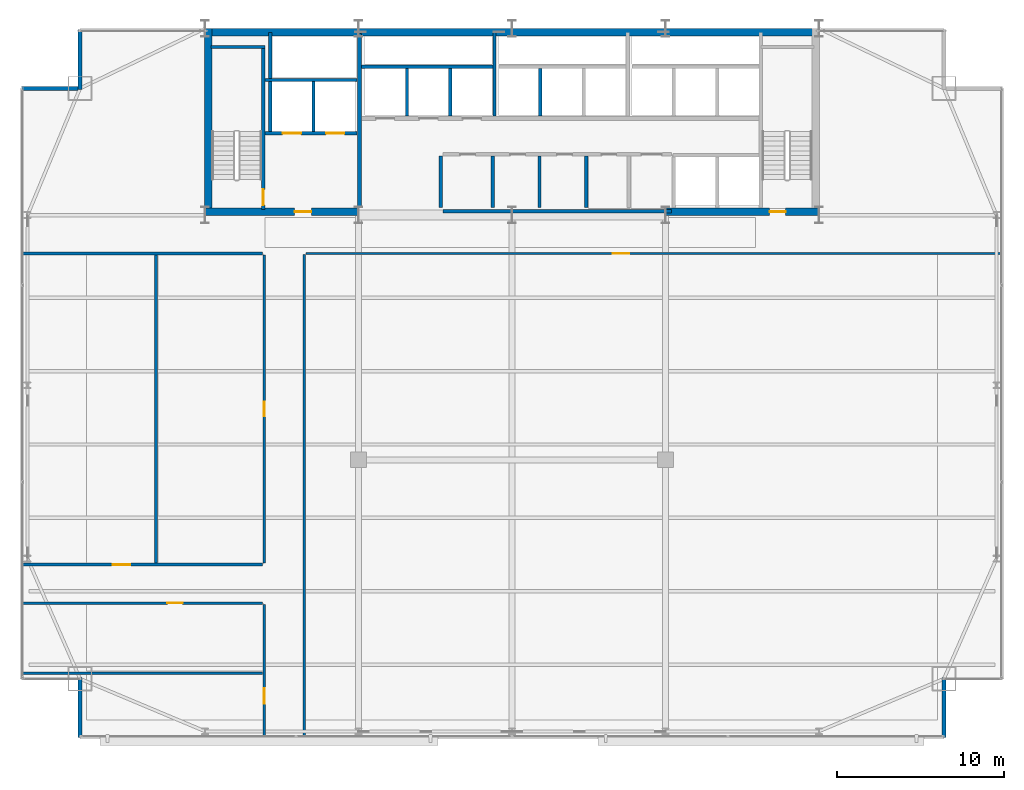
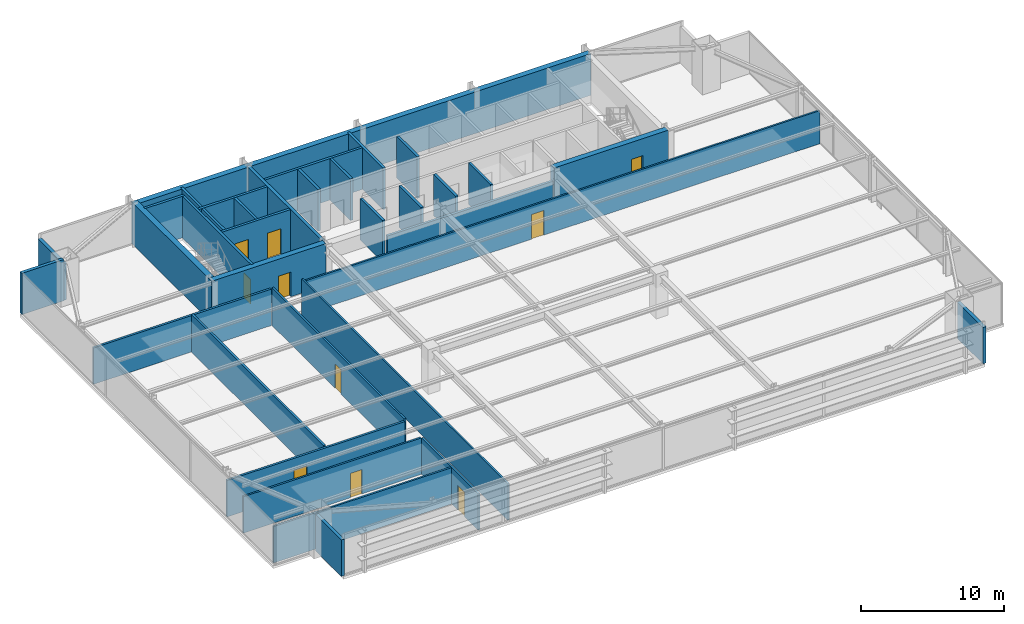
# One storey, part 29 of 32: 34 walls, 10 doors, 10 openings.
"""IFC4 building model written with IfcOpenShell, lengths in metres."""

from ifc_helpers import new_model, si_unit, direction, frame, frame_2d, origin, place, context, subcontext, project, spatial, rectangle, extrude, source, transform, mapped, material, layer, layer_set, type_object, type_shapes, element, fill, save


model = new_model("IFC4")

# Units and contexts
model_context = context("Model", 3, precision=1e-05, world=origin(), true_north=direction((0.0, 1.0)))
body_context = subcontext(model_context, "Body", "Model", "MODEL_VIEW")
ifc_project = project(units=[si_unit("LENGTHUNIT", "METRE"), si_unit("AREAUNIT", "SQUARE_METRE"), si_unit("VOLUMEUNIT", "CUBIC_METRE"), si_unit("PLANEANGLEUNIT", "RADIAN"), si_unit("MASSUNIT", "GRAM", prefix="KILO")], contexts=[model_context])

# Site, building, storey
site_placement = place(None, origin())
site = spatial("IfcSite", under=ifc_project, at=site_placement, CompositionType="ELEMENT")
building_placement = place(site_placement, origin())
building = spatial("IfcBuilding", under=site, at=building_placement, Name="Varnel Quay Broadcast Tower", CompositionType="ELEMENT")
storey_placement = place(building_placement, frame((0.0, 0.0, 90.800048828125)))
storey = spatial("IfcBuildingStorey", under=building, at=storey_placement, Name="L21", CompositionType="ELEMENT", Elevation=90.800048828125)

# Wall, opening, door
ifc_material_1 = material(Name="Concrete CSA A23.3 C50/60", Category="concrete")
ifc_layer_1 = layer(ifc_material_1, 0.199951171875, Name="Concrete CSA A23.3 C50/60")
ifc_layer_set_1 = layer_set([ifc_layer_1], Name="Concrete CSA A23.3 C50/60")
wall_type_1 = type_object("IfcWallType", Name="Wall_CoreShaftShear200", PredefinedType="SHEAR", material=ifc_layer_set_1)
wall_1_placement = place(storey_placement, frame((19.080078125, 35.949951171875, 0.0), z_axis=(0.0, 0.0, 1.0), x_axis=(0.0, 1.0, 0.0)))
wall_1 = element("IfcWall", 1, at=wall_1_placement, inside=storey, type_object=wall_type_1, Name="L21 Stair 1 East Structural Wall", PredefinedType="SHEAR", context=body_context, shape_type="SweptSolid", body=[
    extrude(rectangle(XDim=9.650146484375, YDim=0.199951171875, at=frame_2d((4.8251953125, 0.0))), origin(), (0.0, 0.0, 1.0), 3.550048828125),
])
opening_1_placement = place(wall_1_placement, frame((0.25, 0.0, 0.0)))
opening_1 = element("IfcOpeningElement", 2, at=opening_1_placement, cuts=wall_1, Name="Opening D-L21-S1", PredefinedType="OPENING", context=body_context, shape_type="SweptSolid", body=[
    extrude(rectangle(XDim=0.949951171875, YDim=2.10009765625, at=frame_2d((0.47509765625, 1.050048828125))), frame((0.0, 0.10986328125, 0.0), z_axis=(0.0, -1.0, 0.0), x_axis=(1.0, 0.0, 0.0)), (0.0, 0.0, 1.0), 0.219970703125),
])
ifc_material_2 = material(Name="Insulated Fire-Rated Hollow Steel Door", Category="steel")
door_type_1 = type_object("IfcDoorType", Name="Door_FireStair950", OperationType="NOTDEFINED", PredefinedType="DOOR", material=ifc_material_2)
shared_shape_1 = source(origin(), body_context, "Body", "SweptSolid", [
    extrude(rectangle(XDim=0.949951171875, YDim=2.10009765625, at=frame_2d((0.47509765625, 1.050048828125))), frame((0.0, 0.02490234375, 0.0), z_axis=(0.0, -1.0, 0.0), x_axis=(1.0, 0.0, 0.0)), (0.0, 0.0, 1.0), 0.050048828125),
])
type_shapes(door_type_1, [shared_shape_1])
door_1_placement = place(opening_1_placement, origin())
door_1 = element("IfcDoor", 3, at=door_1_placement, inside=storey, type_object=door_type_1, Name="L21 Stair 1 Fire Door", OperationType="SINGLE_SWING_LEFT", OverallHeight=2.10009765625, OverallWidth=0.949951171875, PredefinedType="DOOR", context=body_context, shape_type="MappedRepresentation", body=[
    mapped(shared_shape_1, transform((0.0, 0.0, 0.0), x_axis=(1.0, 0.0, 0.0), y_axis=(0.0, 1.0, 0.0), z_axis=(0.0, 0.0, 1.0), scale=1.0)),
])
fill(opening_1, door_1)

# Wall
wall_2_placement = place(storey_placement, frame((15.949951171875, 45.679931640625, 0.0), z_axis=(0.0, 0.0, 1.0), x_axis=(1.0, 0.0, 0.0)))
element("IfcWall", 4, at=wall_2_placement, inside=storey, type_object=wall_type_1, Name="L21 Stair 1 North Structural Wall", PredefinedType="SHEAR", context=body_context, shape_type="SweptSolid", body=[
    extrude(rectangle(XDim=3.22998046875, YDim=0.199951171875, at=frame_2d((1.614990234375, 0.0))), origin(), (0.0, 0.0, 1.0), 3.550048828125),
])

# Wall, openings, doors
wall_3_placement = place(storey_placement, frame((19.199951171875, 40.5, 0.0), z_axis=(0.0, 0.0, 1.0), x_axis=(1.0, 0.0, 0.0)))
wall_3 = element("IfcWall", 5, at=wall_3_placement, inside=storey, type_object=wall_type_1, Name="L21 Firefighter Lift Shaft Front Wall", PredefinedType="SHEAR", context=body_context, shape_type="SweptSolid", body=[
    extrude(rectangle(XDim=5.52001953125, YDim=0.199951171875, at=frame_2d((2.760009765625, 0.0))), origin(), (0.0, 0.0, 1.0), 3.550048828125),
])
opening_2_placement = place(wall_3_placement, frame((1.050048828125, 0.0, 0.0)))
opening_2 = element("IfcOpeningElement", 6, at=opening_2_placement, cuts=wall_3, Name="Opening LD-L21-FE1", PredefinedType="OPENING", context=body_context, shape_type="SweptSolid", body=[
    extrude(rectangle(XDim=1.10009765625, YDim=2.179931640625, at=frame_2d((0.550048828125, 1.08984375))), frame((0.0, 0.10986328125, 0.0), z_axis=(0.0, -1.0, 0.0), x_axis=(1.0, 0.0, 0.0)), (0.0, 0.0, 1.0), 0.219970703125),
])
opening_3_placement = place(wall_3_placement, frame((3.64990234375, 0.0, 0.0)))
opening_3 = element("IfcOpeningElement", 7, at=opening_3_placement, cuts=wall_3, Name="Opening LD-L21-FE2", PredefinedType="OPENING", context=body_context, shape_type="SweptSolid", body=[
    extrude(rectangle(XDim=1.10009765625, YDim=2.179931640625, at=frame_2d((0.550048828125, 1.08984375))), frame((0.0, 0.10986328125, 0.0), z_axis=(0.0, -1.0, 0.0), x_axis=(1.0, 0.0, 0.0)), (0.0, 0.0, 1.0), 0.219970703125),
])
ifc_material_3 = material(Name="Brushed Bronze-Stainless Lift Car & Sliding Doors", Category="steel")
door_type_2 = type_object("IfcDoorType", Name="Door_LiftLanding1100", OperationType="SLIDING_TO_LEFT", PredefinedType="DOOR", material=ifc_material_3)
shared_shape_2 = source(origin(), body_context, "Body", "SweptSolid", [
    extrude(rectangle(XDim=1.10009765625, YDim=2.179931640625, at=frame_2d((0.550048828125, 1.08984375))), frame((0.0, 0.02490234375, 0.0), z_axis=(0.0, -1.0, 0.0), x_axis=(1.0, 0.0, 0.0)), (0.0, 0.0, 1.0), 0.050048828125),
])
type_shapes(door_type_2, [shared_shape_2])
door_2_placement = place(opening_2_placement, frame((1.10009765625, 0.0, 0.0), z_axis=(0.0, 0.0, 1.0), x_axis=(-1.0, 0.0, 0.0)))
door_2 = element("IfcDoor", 8, at=door_2_placement, inside=storey, type_object=door_type_2, Name="L21 Firefighter Lift FE-01 Landing Door", OperationType="SLIDING_TO_LEFT", OverallHeight=2.179931640625, OverallWidth=1.10009765625, PredefinedType="DOOR", context=body_context, shape_type="MappedRepresentation", body=[
    mapped(shared_shape_2, transform((0.0, 0.0, 0.0), x_axis=(1.0, 0.0, 0.0), y_axis=(0.0, 1.0, 0.0), z_axis=(0.0, 0.0, 1.0), scale=1.0)),
])
fill(opening_2, door_2)
door_3_placement = place(opening_3_placement, frame((1.10009765625, 0.0, 0.0), z_axis=(0.0, 0.0, 1.0), x_axis=(-1.0, 0.0, 0.0)))
door_3 = element("IfcDoor", 9, at=door_3_placement, inside=storey, type_object=door_type_2, Name="L21 Firefighter Lift FE-02 Landing Door", OperationType="SLIDING_TO_RIGHT", OverallHeight=2.179931640625, OverallWidth=1.10009765625, PredefinedType="DOOR", context=body_context, shape_type="MappedRepresentation", body=[
    mapped(shared_shape_2, transform((0.0, 0.0, 0.0), x_axis=(1.0, 0.0, 0.0), y_axis=(0.0, 1.0, 0.0), z_axis=(0.0, 0.0, 1.0), scale=1.0)),
])
fill(opening_3, door_3)

# Walls
wall_4_placement = place(storey_placement, frame((19.199951171875, 43.699951171875, 0.0), z_axis=(0.0, 0.0, 1.0), x_axis=(1.0, 0.0, 0.0)))
element("IfcWall", 10, at=wall_4_placement, inside=storey, type_object=wall_type_1, Name="L21 Firefighter Lift Shaft Rear Wall", PredefinedType="SHEAR", context=body_context, shape_type="SweptSolid", body=[
    extrude(rectangle(XDim=5.52001953125, YDim=0.199951171875, at=frame_2d((2.760009765625, 0.0))), origin(), (0.0, 0.0, 1.0), 3.550048828125),
])
wall_5_placement = place(storey_placement, frame((22.10009765625, 40.60009765625, 0.0), z_axis=(0.0, 0.0, 1.0), x_axis=(0.0, 1.0, 0.0)))
element("IfcWall", 11, at=wall_5_placement, inside=storey, type_object=wall_type_1, Name="L21 Firefighter Lift Shaft Divider", PredefinedType="SHEAR", context=body_context, shape_type="SweptSolid", body=[
    extrude(rectangle(XDim=3.0, YDim=0.199951171875, at=frame_2d((1.5, 0.0))), origin(), (0.0, 0.0, 1.0), 3.550048828125),
])
wall_6_placement = place(storey_placement, frame((19.5, 40.60009765625, 0.0), z_axis=(0.0, 0.0, 1.0), x_axis=(0.0, 1.0, 0.0)))
element("IfcWall", 12, at=wall_6_placement, inside=storey, type_object=wall_type_1, Name="L21 Firefighter Lift Shaft West Wall", PredefinedType="SHEAR", context=body_context, shape_type="SweptSolid", body=[
    extrude(rectangle(XDim=5.949951171875, YDim=0.199951171875, at=frame_2d((2.97509765625, 0.0))), origin(), (0.0, 0.0, 1.0), 3.550048828125),
])
wall_7_placement = place(storey_placement, frame((24.97998046875, 44.5, 0.0), z_axis=(0.0, 0.0, 1.0), x_axis=(1.0, 0.0, 0.0)))
element("IfcWall", 13, at=wall_7_placement, inside=storey, type_object=wall_type_1, Name="L21 Low-Rise Lift Shaft Rear Wall", PredefinedType="SHEAR", context=body_context, shape_type="SweptSolid", body=[
    extrude(rectangle(XDim=7.8701171875, YDim=0.199951171875, at=frame_2d((3.93505859375, 0.0))), origin(), (0.0, 0.0, 1.0), 3.550048828125),
])
for number, where, z_axis, x_axis, name in (
    (14, (27.699951171875, 41.530029296875, 0.0), (0.0, 0.0, 1.0), (0.0, 1.0, 0.0), "L21 Low-Rise Lift Shaft Divider 1"),
    (15, (30.300048828125, 41.530029296875, 0.0), (0.0, 0.0, 1.0), (0.0, 1.0, 0.0), "L21 Low-Rise Lift Shaft Divider 2"),
):
    element("IfcWall", number, at=place(storey_placement, frame(where, z_axis=z_axis, x_axis=x_axis)), inside=storey, type_object=wall_type_1, Name=name, PredefinedType="SHEAR", context=body_context, shape_type="SweptSolid", body=[
        extrude(rectangle(XDim=2.869873046875, YDim=0.199951171875, at=frame_2d((1.43505859375, 0.0))), origin(), (0.0, 0.0, 1.0), 3.550048828125),
    ])
wall_8_placement = place(storey_placement, frame((32.949951171875, 41.530029296875, 0.0), z_axis=(0.0, 0.0, 1.0), x_axis=(0.0, 1.0, 0.0)))
element("IfcWall", 16, at=wall_8_placement, inside=storey, type_object=wall_type_1, Name="L21 Low-Rise Lift Shaft Divider 3", PredefinedType="SHEAR", context=body_context, shape_type="SweptSolid", body=[
    extrude(rectangle(XDim=5.02001953125, YDim=0.199951171875, at=frame_2d((2.510009765625, 0.0))), origin(), (0.0, 0.0, 1.0), 3.550048828125),
])
wall_9_placement = place(storey_placement, frame((35.699951171875, 41.530029296875, 0.0), z_axis=(0.0, 0.0, 1.0), x_axis=(0.0, 1.0, 0.0)))
element("IfcWall", 17, at=wall_9_placement, inside=storey, type_object=wall_type_1, Name="L21 Mid-Rise Lift Shaft Divider 2", PredefinedType="SHEAR", context=body_context, shape_type="SweptSolid", body=[
    extrude(rectangle(XDim=2.869873046875, YDim=0.199951171875, at=frame_2d((1.43505859375, 0.0))), origin(), (0.0, 0.0, 1.0), 3.550048828125),
])
ifc_layer_2 = layer(ifc_material_1, 0.25, Name="Concrete CSA A23.3 C50/60")
ifc_layer_set_2 = layer_set([ifc_layer_2], Name="Concrete CSA A23.3 C50/60")
wall_type_2 = type_object("IfcWallType", Name="Wall_CoreShaftShear250", PredefinedType="SHEAR", material=ifc_layer_set_2)
wall_10_placement = place(storey_placement, frame((24.85009765625, 36.050048828125, 0.0), z_axis=(0.0, 0.0, 1.0), x_axis=(0.0, 1.0, 0.0)))
element("IfcWall", 18, at=wall_10_placement, inside=storey, type_object=wall_type_2, Name="L21 Firefighting Lobby East Structural Wall", PredefinedType="SHEAR", context=body_context, shape_type="SweptSolid", body=[
    extrude(rectangle(XDim=10.449951171875, YDim=0.25, at=frame_2d((5.22509765625, 0.0))), origin(), (0.0, 0.0, 1.0), 3.550048828125),
])
ifc_material_4 = material(Name="Concrete CSA A23.3 C60/75", Category="concrete")
ifc_layer_3 = layer(ifc_material_4, 0.449951171875, Name="Concrete CSA A23.3 C60/75")
ifc_layer_set_3 = layer_set([ifc_layer_3], Name="Concrete CSA A23.3 C60/75")
wall_type_3 = type_object("IfcWallType", Name="Wall_CoreShearExt450", PredefinedType="SHEAR", material=ifc_layer_set_3)
wall_11_placement = place(storey_placement, frame((15.60009765625, 46.574951171875, 0.0), z_axis=(0.0, 0.0, 1.0), x_axis=(1.0, 0.0, 0.0)))
element("IfcWall", 19, at=wall_11_placement, inside=storey, type_object=wall_type_3, Name="L21 North Core Shear Wall", PredefinedType="SHEAR", context=body_context, shape_type="SweptSolid", body=[
    extrude(rectangle(XDim=36.7998046875, YDim=0.449951171875, at=frame_2d((18.39990234375, 0.0))), origin(), (0.0, 0.0, 1.0), 3.550048828125),
])
ifc_layer_4 = layer(ifc_material_4, 0.449951171875, Name="Concrete CSA A23.3 C60/75")
ifc_layer_set_4 = layer_set([ifc_layer_4], Name="Concrete CSA A23.3 C60/75")
wall_type_4 = type_object("IfcWallType", Name="Wall_CoreShearInt450", PredefinedType="SHEAR", material=ifc_layer_set_4)
wall_12_placement = place(storey_placement, frame((15.794921875, 35.570068359375, 0.0), z_axis=(0.0, 0.0, 1.0), x_axis=(0.0, 1.0, 0.0)))
element("IfcWall", 20, at=wall_12_placement, inside=storey, type_object=wall_type_4, Name="L21 West Core Shear Wall", PredefinedType="SHEAR", context=body_context, shape_type="SweptSolid", body=[
    extrude(rectangle(XDim=11.22998046875, YDim=0.449951171875, at=frame_2d((5.614990234375, 0.0))), origin(), (0.0, 0.0, 1.0), 3.550048828125),
])

# Wall, opening, door
wall_13_placement = place(storey_placement, frame((15.570068359375, 35.794921875, 0.0), z_axis=(0.0, 0.0, 1.0), x_axis=(1.0, 0.0, 0.0)))
wall_13 = element("IfcWall", 21, at=wall_13_placement, inside=storey, type_object=wall_type_4, Name="L21 South-West Core Shear Wall", PredefinedType="SHEAR", context=body_context, shape_type="SweptSolid", body=[
    extrude(rectangle(XDim=9.22998046875, YDim=0.449951171875, at=frame_2d((4.614990234375, 0.0))), origin(), (0.0, 0.0, 1.0), 3.550048828125),
])
opening_4_placement = place(wall_13_placement, frame((5.39990234375, 0.0, 0.0)))
opening_4 = element("IfcOpeningElement", 22, at=opening_4_placement, cuts=wall_13, Name="Opening D-L21-FFL", PredefinedType="OPENING", context=body_context, shape_type="SweptSolid", body=[
    extrude(rectangle(XDim=1.0, YDim=2.10009765625, at=frame_2d((0.5, 1.050048828125))), frame((0.0, 0.23486328125, 0.0), z_axis=(0.0, -1.0, 0.0), x_axis=(1.0, 0.0, 0.0)), (0.0, 0.0, 1.0), 0.469970703125),
])
door_type_3 = type_object("IfcDoorType", Name="Door_FireLobby1000", OperationType="NOTDEFINED", PredefinedType="DOOR", material=ifc_material_2)
shared_shape_3 = source(origin(), body_context, "Body", "SweptSolid", [
    extrude(rectangle(XDim=1.0, YDim=2.10009765625, at=frame_2d((0.5, 1.050048828125))), frame((0.0, 0.02490234375, 0.0), z_axis=(0.0, -1.0, 0.0), x_axis=(1.0, 0.0, 0.0)), (0.0, 0.0, 1.0), 0.050048828125),
])
type_shapes(door_type_3, [shared_shape_3])
door_4_placement = place(opening_4_placement, origin())
door_4 = element("IfcDoor", 23, at=door_4_placement, inside=storey, type_object=door_type_3, Name="L21 Firefighting Lobby Door", OperationType="SINGLE_SWING_RIGHT", OverallHeight=2.10009765625, OverallWidth=1.0, PredefinedType="DOOR", context=body_context, shape_type="MappedRepresentation", body=[
    mapped(shared_shape_3, transform((0.0, 0.0, 0.0), x_axis=(1.0, 0.0, 0.0), y_axis=(0.0, 1.0, 0.0), z_axis=(0.0, 0.0, 1.0), scale=1.0)),
])
fill(opening_4, door_4)

wall_14_placement = place(storey_placement, frame((43.199951171875, 35.794921875, 0.0), z_axis=(0.0, 0.0, 1.0), x_axis=(1.0, 0.0, 0.0)))
wall_14 = element("IfcWall", 24, at=wall_14_placement, inside=storey, type_object=wall_type_4, Name="L21 South-East Core Shear Wall", PredefinedType="SHEAR", context=body_context, shape_type="SweptSolid", body=[
    extrude(rectangle(XDim=9.22998046875, YDim=0.449951171875, at=frame_2d((4.614990234375, 0.0))), origin(), (0.0, 0.0, 1.0), 3.550048828125),
])
opening_5_placement = place(wall_14_placement, frame((6.25, 0.0, 0.0)))
opening_5 = element("IfcOpeningElement", 25, at=opening_5_placement, cuts=wall_14, Name="Opening D-L21-S2", PredefinedType="OPENING", context=body_context, shape_type="SweptSolid", body=[
    extrude(rectangle(XDim=0.949951171875, YDim=2.10009765625, at=frame_2d((0.47509765625, 1.050048828125))), frame((0.0, 0.23486328125, 0.0), z_axis=(0.0, -1.0, 0.0), x_axis=(1.0, 0.0, 0.0)), (0.0, 0.0, 1.0), 0.469970703125),
])
door_5_placement = place(opening_5_placement, origin())
door_5 = element("IfcDoor", 26, at=door_5_placement, inside=storey, type_object=door_type_1, Name="L21 Stair 2 Fire Door", OperationType="SINGLE_SWING_LEFT", OverallHeight=2.10009765625, OverallWidth=0.949951171875, PredefinedType="DOOR", context=body_context, shape_type="MappedRepresentation", body=[
    mapped(shared_shape_1, transform((0.0, 0.0, 0.0), x_axis=(1.0, 0.0, 0.0), y_axis=(0.0, 1.0, 0.0), z_axis=(0.0, 0.0, 1.0), scale=1.0)),
])
fill(opening_5, door_5)

# Walls
ifc_material_5 = material(Name="Precast Architectural Concrete C40/50", Category="concrete")
ifc_layer_5 = layer(ifc_material_5, 0.25, Name="Precast Architectural Concrete C40/50")
ifc_layer_set_5 = layer_set([ifc_layer_5], Name="Precast Architectural Concrete C40/50")
wall_type_5 = type_object("IfcWallType", Name="Wall_ExtTerrace250", PredefinedType="SOLIDWALL", material=ifc_layer_set_5)
for number, where, z_axis, x_axis, name in (
    (27, (8.10009765625, 4.280029296875, 0.0), (0.0, 0.0, 1.0), (0.0, 1.0, 0.0), "L21 Mega-Column Notch Cladding Wall NSW2"),
    (28, (59.89990234375, 4.280029296875, 0.0), (0.0, 0.0, 1.0), (0.0, 1.0, 0.0), "L21 Mega-Column Notch Cladding Wall NSE2"),
):
    element("IfcWall", number, at=place(storey_placement, frame(where, z_axis=z_axis, x_axis=x_axis)), inside=storey, type_object=wall_type_5, Name=name, PredefinedType="SOLIDWALL", context=body_context, shape_type="SweptSolid", body=[
        extrude(rectangle(XDim=3.599853515625, YDim=0.25, at=frame_2d((1.7998046875, 0.0))), origin(), (0.0, 0.0, 1.0), 3.10791015625),
    ])
wall_15_placement = place(storey_placement, frame((4.580078125, 43.199951171875, 0.0), z_axis=(0.0, 0.0, 1.0), x_axis=(1.0, 0.0, 0.0)))
element("IfcWall", 29, at=wall_15_placement, inside=storey, type_object=wall_type_5, Name="L21 Mega-Column Notch Cladding Wall NNW1", PredefinedType="SOLIDWALL", context=body_context, shape_type="SweptSolid", body=[
    extrude(rectangle(XDim=3.389892578125, YDim=0.25, at=frame_2d((1.69482421875, 0.0))), origin(), (0.0, 0.0, 1.0), 3.530029296875),
])
wall_16_placement = place(storey_placement, frame((8.10009765625, 43.1201171875, 0.0), z_axis=(0.0, 0.0, 1.0), x_axis=(0.0, 1.0, 0.0)))
element("IfcWall", 30, at=wall_16_placement, inside=storey, type_object=wall_type_5, Name="L21 Mega-Column Notch Cladding Wall NNW2", PredefinedType="SOLIDWALL", context=body_context, shape_type="SweptSolid", body=[
    extrude(rectangle(XDim=3.599853515625, YDim=0.25, at=frame_2d((1.7998046875, 0.0))), origin(), (0.0, 0.0, 1.0), 3.10791015625),
])
ifc_material_6 = material(Name="Concrete Blockwork Fire Enclosure C40/50", Category="masonry")
ifc_layer_6 = layer(ifc_material_6, 0.199951171875, Name="Concrete Blockwork Fire Enclosure C40/50")
ifc_layer_set_6 = layer_set([ifc_layer_6], Name="Concrete Blockwork Fire Enclosure C40/50")
wall_type_6 = type_object("IfcWallType", Name="Wall_FireShaft200", PredefinedType="SOLIDWALL", material=ifc_layer_set_6)
wall_17_placement = place(storey_placement, frame((29.85009765625, 35.824951171875, 0.0), z_axis=(0.0, 0.0, 1.0), x_axis=(1.0, 0.0, 0.0)))
element("IfcWall", 31, at=wall_17_placement, inside=storey, type_object=wall_type_6, Name="L21 Accessible Washroom Partition 1", PredefinedType="SOLIDWALL", context=body_context, shape_type="SweptSolid", body=[
    extrude(rectangle(XDim=13.699951171875, YDim=0.199951171875, at=frame_2d((6.85009765625, 0.0))), origin(), (0.0, 0.0, 1.0), 2.324951171875),
])

# Wall, opening, door
ifc_material_7 = material(Name="Steel-Stud Fire-Rated Acoustic Gypsum Partition Assembly", Category="steel")
ifc_layer_7 = layer(ifc_material_7, 0.139892578125, Name="Steel-Stud Fire-Rated Acoustic Gypsum Partition Assembly")
ifc_layer_set_7 = layer_set([ifc_layer_7], Name="Steel-Stud Fire-Rated Acoustic Gypsum Partition Assembly")
wall_type_7 = type_object("IfcWallType", Name="Wall_Partition140", PredefinedType="PARTITIONING", material=ifc_layer_set_7)
wall_18_placement = place(storey_placement, frame((21.639892578125, 33.300048828125, 0.0), z_axis=(0.0, 0.0, 1.0), x_axis=(1.0, 0.0, 0.0)))
wall_18 = element("IfcWall", 32, at=wall_18_placement, inside=storey, type_object=wall_type_7, Name="L21 Press Green Lounge 5 Partition 15", PredefinedType="PARTITIONING", context=body_context, shape_type="SweptSolid", body=[
    extrude(rectangle(XDim=41.68017578125, YDim=0.139892578125, at=frame_2d((20.840087890625, 0.0))), origin(), (0.0, 0.0, 1.0), 2.829833984375),
])
opening_6_placement = place(wall_18_placement, frame((18.405029296875, 0.0, 0.0)))
opening_6 = element("IfcOpeningElement", 33, at=opening_6_placement, cuts=wall_18, Name="Opening D-L21-10", PredefinedType="OPENING", context=body_context, shape_type="SweptSolid", body=[
    extrude(rectangle(XDim=1.0, YDim=2.10009765625, at=frame_2d((0.5, 1.050048828125))), frame((0.0, 0.080078125, 0.0), z_axis=(0.0, -1.0, 0.0), x_axis=(1.0, 0.0, 0.0)), (0.0, 0.0, 1.0), 0.159912109375),
])
ifc_material_8 = material(Name="Solid-Core Fire-Rated Acoustic Oak Veneer Door", Category="wood")
door_type_4 = type_object("IfcDoorType", Name="Door_Exec1000", OperationType="NOTDEFINED", PredefinedType="DOOR", material=ifc_material_8)
shared_shape_4 = source(origin(), body_context, "Body", "SweptSolid", [
    extrude(rectangle(XDim=1.0, YDim=2.10009765625, at=frame_2d((0.5, 1.050048828125))), frame((0.0, 0.02490234375, 0.0), z_axis=(0.0, -1.0, 0.0), x_axis=(1.0, 0.0, 0.0)), (0.0, 0.0, 1.0), 0.050048828125),
])
type_shapes(door_type_4, [shared_shape_4])
door_6_placement = place(opening_6_placement, frame((1.0, 0.0, 0.0), z_axis=(0.0, 0.0, 1.0), x_axis=(-1.0, 0.0, 0.0)))
door_6 = element("IfcDoor", 34, at=door_6_placement, inside=storey, type_object=door_type_4, Name="L21 Press Green Lounge 5 Door D-L21-10", OperationType="SINGLE_SWING_LEFT", OverallHeight=2.10009765625, OverallWidth=1.0, PredefinedType="DOOR", context=body_context, shape_type="MappedRepresentation", body=[
    mapped(shared_shape_4, transform((0.0, 0.0, 0.0), x_axis=(1.0, 0.0, 0.0), y_axis=(0.0, 1.0, 0.0), z_axis=(0.0, 0.0, 1.0), scale=1.0)),
])
fill(opening_6, door_6)

# Wall
wall_19_placement = place(storey_placement, frame((21.5400390625, 4.3798828125, 0.0), z_axis=(0.0, 0.0, 1.0), x_axis=(0.0, 1.0, 0.0)))
element("IfcWall", 35, at=wall_19_placement, inside=storey, type_object=wall_type_7, Name="L21 Press Green Lounge 5 Partition 16", PredefinedType="PARTITIONING", context=body_context, shape_type="SweptSolid", body=[
    extrude(rectangle(XDim=28.85009765625, YDim=0.139892578125, at=frame_2d((14.425048828125, 0.0))), origin(), (0.0, 0.0, 1.0), 3.10791015625),
])

# Wall, opening, door
ifc_layer_8 = layer(ifc_material_7, 0.14990234375, Name="Steel-Stud Fire-Rated Acoustic Gypsum Partition Assembly")
ifc_layer_set_8 = layer_set([ifc_layer_8], Name="Steel-Stud Fire-Rated Acoustic Gypsum Partition Assembly")
wall_type_8 = type_object("IfcWallType", Name="Wall_Partition150", PredefinedType="PARTITIONING", material=ifc_layer_set_8)
wall_20_placement = place(storey_placement, frame((19.139892578125, 4.3798828125, 0.0), z_axis=(0.0, 0.0, 1.0), x_axis=(0.0, 1.0, 0.0)))
wall_20 = element("IfcWall", 36, at=wall_20_placement, inside=storey, type_object=wall_type_8, Name="L21 Broadcast Newsroom 1 Partition 8", PredefinedType="PARTITIONING", context=body_context, shape_type="SweptSolid", body=[
    extrude(rectangle(XDim=7.885009765625, YDim=0.14990234375, at=frame_2d((3.9423828125, 0.0))), origin(), (0.0, 0.0, 1.0), 3.10791015625),
])
opening_7_placement = place(wall_20_placement, frame((1.925048828125, 0.0, 0.0)))
opening_7 = element("IfcOpeningElement", 37, at=opening_7_placement, cuts=wall_20, Name="Opening D-L21-06", PredefinedType="OPENING", context=body_context, shape_type="SweptSolid", body=[
    extrude(rectangle(XDim=0.919921875, YDim=2.080078125, at=frame_2d((0.4599609375, 1.0400390625))), frame((0.0, 0.0849609375, 0.0), z_axis=(0.0, -1.0, 0.0), x_axis=(1.0, 0.0, 0.0)), (0.0, 0.0, 1.0), 0.169921875),
])
door_type_5 = type_object("IfcDoorType", Name="Door_Office920", OperationType="NOTDEFINED", PredefinedType="DOOR", material=ifc_material_8)
shared_shape_5 = source(origin(), body_context, "Body", "SweptSolid", [
    extrude(rectangle(XDim=0.919921875, YDim=2.080078125, at=frame_2d((0.4599609375, 1.0400390625))), frame((0.0, 0.02490234375, 0.0), z_axis=(0.0, -1.0, 0.0), x_axis=(1.0, 0.0, 0.0)), (0.0, 0.0, 1.0), 0.050048828125),
])
type_shapes(door_type_5, [shared_shape_5])
door_7_placement = place(opening_7_placement, origin())
door_7 = element("IfcDoor", 38, at=door_7_placement, inside=storey, type_object=door_type_5, Name="L21 Broadcast Newsroom 1 Door D-L21-06", OperationType="SINGLE_SWING_LEFT", OverallHeight=2.080078125, OverallWidth=0.919921875, PredefinedType="DOOR", context=body_context, shape_type="MappedRepresentation", body=[
    mapped(shared_shape_5, transform((0.0, 0.0, 0.0), x_axis=(1.0, 0.0, 0.0), y_axis=(0.0, 1.0, 0.0), z_axis=(0.0, 0.0, 1.0), scale=1.0)),
])
fill(opening_7, door_7)

# Wall
wall_21_placement = place(storey_placement, frame((4.679931640625, 8.139892578125, 0.0), z_axis=(0.0, 0.0, 1.0), x_axis=(1.0, 0.0, 0.0)))
element("IfcWall", 39, at=wall_21_placement, inside=storey, type_object=wall_type_8, Name="L21 Broadcast Newsroom 1 Partition 9", PredefinedType="PARTITIONING", context=body_context, shape_type="SweptSolid", body=[
    extrude(rectangle(XDim=14.360107421875, YDim=0.14990234375, at=frame_2d((7.18017578125, 0.0))), origin(), (0.0, 0.0, 1.0), 3.10791015625),
])

# Wall, opening, door
wall_22_placement = place(storey_placement, frame((4.679931640625, 12.340087890625, 0.0), z_axis=(0.0, 0.0, 1.0), x_axis=(1.0, 0.0, 0.0)))
wall_22 = element("IfcWall", 40, at=wall_22_placement, inside=storey, type_object=wall_type_8, Name="L21 Assignment Desk 2 Partition 10", PredefinedType="PARTITIONING", context=body_context, shape_type="SweptSolid", body=[
    extrude(rectangle(XDim=14.360107421875, YDim=0.14990234375, at=frame_2d((7.18017578125, 0.0))), origin(), (0.0, 0.0, 1.0), 3.10791015625),
])
opening_8_placement = place(wall_22_placement, frame((8.655029296875, 0.0, 0.0)))
opening_8 = element("IfcOpeningElement", 41, at=opening_8_placement, cuts=wall_22, Name="Opening D-L21-07", PredefinedType="OPENING", context=body_context, shape_type="SweptSolid", body=[
    extrude(rectangle(XDim=0.919921875, YDim=2.080078125, at=frame_2d((0.4599609375, 1.0400390625))), frame((0.0, 0.0849609375, 0.0), z_axis=(0.0, -1.0, 0.0), x_axis=(1.0, 0.0, 0.0)), (0.0, 0.0, 1.0), 0.169921875),
])
door_8_placement = place(opening_8_placement, frame((0.919921875, 0.0, 0.0), z_axis=(0.0, 0.0, 1.0), x_axis=(-1.0, 0.0, 0.0)))
door_8 = element("IfcDoor", 42, at=door_8_placement, inside=storey, type_object=door_type_5, Name="L21 Assignment Desk 2 Door D-L21-07", OperationType="SINGLE_SWING_RIGHT", OverallHeight=2.080078125, OverallWidth=0.919921875, PredefinedType="DOOR", context=body_context, shape_type="MappedRepresentation", body=[
    mapped(shared_shape_5, transform((0.0, 0.0, 0.0), x_axis=(1.0, 0.0, 0.0), y_axis=(0.0, 1.0, 0.0), z_axis=(0.0, 0.0, 1.0), scale=1.0)),
])
fill(opening_8, door_8)

wall_23_placement = place(storey_placement, frame((19.139892578125, 14.72802734375, 0.0), z_axis=(0.0, 0.0, 1.0), x_axis=(0.0, 1.0, 0.0)))
wall_23 = element("IfcWall", 43, at=wall_23_placement, inside=storey, type_object=wall_type_8, Name="L21 Break Kitchen 4 Partition 14", PredefinedType="PARTITIONING", context=body_context, shape_type="SweptSolid", body=[
    extrude(rectangle(XDim=18.48388671875, YDim=0.14990234375, at=frame_2d((9.241943359375, 0.0))), origin(), (0.0, 0.0, 1.0), 3.221923828125),
])
opening_9_placement = place(wall_23_placement, frame((8.802001953125, 0.0, 0.0)))
opening_9 = element("IfcOpeningElement", 44, at=opening_9_placement, cuts=wall_23, Name="Opening D-L21-09", PredefinedType="OPENING", context=body_context, shape_type="SweptSolid", body=[
    extrude(rectangle(XDim=0.8798828125, YDim=2.06005859375, at=frame_2d((0.43994140625, 1.030029296875))), frame((0.0, 0.0849609375, 0.0), z_axis=(0.0, -1.0, 0.0), x_axis=(1.0, 0.0, 0.0)), (0.0, 0.0, 1.0), 0.169921875),
])
door_type_6 = type_object("IfcDoorType", Name="Door_Booth880", OperationType="NOTDEFINED", PredefinedType="DOOR", material=ifc_material_8)
shared_shape_6 = source(origin(), body_context, "Body", "SweptSolid", [
    extrude(rectangle(XDim=0.8798828125, YDim=2.06005859375, at=frame_2d((0.43994140625, 1.030029296875))), frame((0.0, 0.02490234375, 0.0), z_axis=(0.0, -1.0, 0.0), x_axis=(1.0, 0.0, 0.0)), (0.0, 0.0, 1.0), 0.050048828125),
])
type_shapes(door_type_6, [shared_shape_6])
door_9_placement = place(opening_9_placement, origin())
door_9 = element("IfcDoor", 45, at=door_9_placement, inside=storey, type_object=door_type_6, Name="L21 Break Kitchen 4 Door D-L21-09", OperationType="SINGLE_SWING_RIGHT", OverallHeight=2.06005859375, OverallWidth=0.8798828125, PredefinedType="DOOR", context=body_context, shape_type="MappedRepresentation", body=[
    mapped(shared_shape_6, transform((0.0, 0.0, 0.0), x_axis=(1.0, 0.0, 0.0), y_axis=(0.0, 1.0, 0.0), z_axis=(0.0, 0.0, 1.0), scale=1.0)),
])
fill(opening_9, door_9)

ifc_layer_9 = layer(ifc_material_7, 0.175048828125, Name="Steel-Stud Fire-Rated Acoustic Gypsum Partition Assembly")
ifc_layer_set_9 = layer_set([ifc_layer_9], Name="Steel-Stud Fire-Rated Acoustic Gypsum Partition Assembly")
wall_type_9 = type_object("IfcWallType", Name="Wall_Partition175", PredefinedType="PARTITIONING", material=ifc_layer_set_9)
wall_24_placement = place(storey_placement, frame((4.679931640625, 14.639892578125, 0.0), z_axis=(0.0, 0.0, 1.0), x_axis=(1.0, 0.0, 0.0)))
wall_24 = element("IfcWall", 46, at=wall_24_placement, inside=storey, type_object=wall_type_9, Name="L21 Editorial Boardroom 3 Partition 11", PredefinedType="PARTITIONING", context=body_context, shape_type="SweptSolid", body=[
    extrude(rectangle(XDim=14.360107421875, YDim=0.175048828125, at=frame_2d((7.18017578125, 0.0))), origin(), (0.0, 0.0, 1.0), 3.10791015625),
])
opening_10_placement = place(wall_24_placement, frame((5.39501953125, 0.0, 0.0)))
opening_10 = element("IfcOpeningElement", 47, at=opening_10_placement, cuts=wall_24, Name="Opening D-L21-08", PredefinedType="OPENING", context=body_context, shape_type="SweptSolid", body=[
    extrude(rectangle(XDim=1.050048828125, YDim=2.10009765625, at=frame_2d((0.52490234375, 1.050048828125))), frame((0.0, 0.09765625, 0.0), z_axis=(0.0, -1.0, 0.0), x_axis=(1.0, 0.0, 0.0)), (0.0, 0.0, 1.0), 0.195068359375),
])
door_type_7 = type_object("IfcDoorType", Name="Door_Meeting1050", OperationType="NOTDEFINED", PredefinedType="DOOR", material=ifc_material_8)
shared_shape_7 = source(origin(), body_context, "Body", "SweptSolid", [
    extrude(rectangle(XDim=1.050048828125, YDim=2.10009765625, at=frame_2d((0.52490234375, 1.050048828125))), frame((0.0, 0.02490234375, 0.0), z_axis=(0.0, -1.0, 0.0), x_axis=(1.0, 0.0, 0.0)), (0.0, 0.0, 1.0), 0.050048828125),
])
type_shapes(door_type_7, [shared_shape_7])
door_10_placement = place(opening_10_placement, origin())
door_10 = element("IfcDoor", 48, at=door_10_placement, inside=storey, type_object=door_type_7, Name="L21 Editorial Boardroom 3 Door D-L21-08", OperationType="SINGLE_SWING_LEFT", OverallHeight=2.10009765625, OverallWidth=1.050048828125, PredefinedType="DOOR", context=body_context, shape_type="MappedRepresentation", body=[
    mapped(shared_shape_7, transform((0.0, 0.0, 0.0), x_axis=(1.0, 0.0, 0.0), y_axis=(0.0, 1.0, 0.0), z_axis=(0.0, 0.0, 1.0), scale=1.0)),
])
fill(opening_10, door_10)

# Walls
wall_25_placement = place(storey_placement, frame((12.64990234375, 14.72802734375, 0.0), z_axis=(0.0, 0.0, 1.0), x_axis=(0.0, 1.0, 0.0)))
element("IfcWall", 49, at=wall_25_placement, inside=storey, type_object=wall_type_9, Name="L21 Editorial Boardroom 3 Partition 12", PredefinedType="PARTITIONING", context=body_context, shape_type="SweptSolid", body=[
    extrude(rectangle(XDim=18.48388671875, YDim=0.175048828125, at=frame_2d((9.241943359375, 0.0))), origin(), (0.0, 0.0, 1.0), 3.221923828125),
])
wall_26_placement = place(storey_placement, frame((4.679931640625, 33.300048828125, 0.0), z_axis=(0.0, 0.0, 1.0), x_axis=(1.0, 0.0, 0.0)))
element("IfcWall", 50, at=wall_26_placement, inside=storey, type_object=wall_type_9, Name="L21 Editorial Boardroom 3 Partition 13", PredefinedType="PARTITIONING", context=body_context, shape_type="SweptSolid", body=[
    extrude(rectangle(XDim=14.360107421875, YDim=0.175048828125, at=frame_2d((7.18017578125, 0.0))), origin(), (0.0, 0.0, 1.0), 3.10791015625),
])
ifc_material_9 = material(Name="Fire-Rated Moisture-Resistant Plumbing Chase Partition")
ifc_layer_10 = layer(ifc_material_9, 0.199951171875, Name="Fire-Rated Moisture-Resistant Plumbing Chase Partition")
ifc_layer_set_10 = layer_set([ifc_layer_10], Name="Fire-Rated Moisture-Resistant Plumbing Chase Partition")
wall_type_10 = type_object("IfcWallType", Name="Wall_Plumbing200", PredefinedType="PLUMBINGWALL", material=ifc_layer_set_10)
for number, where, z_axis, x_axis, name in (
    (51, (32.85009765625, 36.050048828125, 0.0), (0.0, 0.0, 1.0), (0.0, 1.0, 0.0), "L21 Accessible Washroom Partition 2"),
    (52, (29.72509765625, 36.050048828125, 0.0), (0.0, 0.0, 1.0), (0.0, 1.0, 0.0), "L21 Accessible Washroom Partition 4"),
    (53, (35.64990234375, 36.050048828125, 0.0), (0.0, 0.0, 1.0), (0.0, 1.0, 0.0), "L21 West Gender-Neutral Washroom Partition 5"),
    (54, (38.449951171875, 36.050048828125, 0.0), (0.0, 0.0, 1.0), (0.0, 1.0, 0.0), "L21 East Staff Washroom Partition 6"),
):
    element("IfcWall", number, at=place(storey_placement, frame(where, z_axis=z_axis, x_axis=x_axis)), inside=storey, type_object=wall_type_10, Name=name, PredefinedType="PLUMBINGWALL", context=body_context, shape_type="SweptSolid", body=[
        extrude(rectangle(XDim=3.099853515625, YDim=0.199951171875, at=frame_2d((1.5498046875, 0.0))), origin(), (0.0, 0.0, 1.0), 3.530029296875),
    ])

save(model, "model.ifc")
